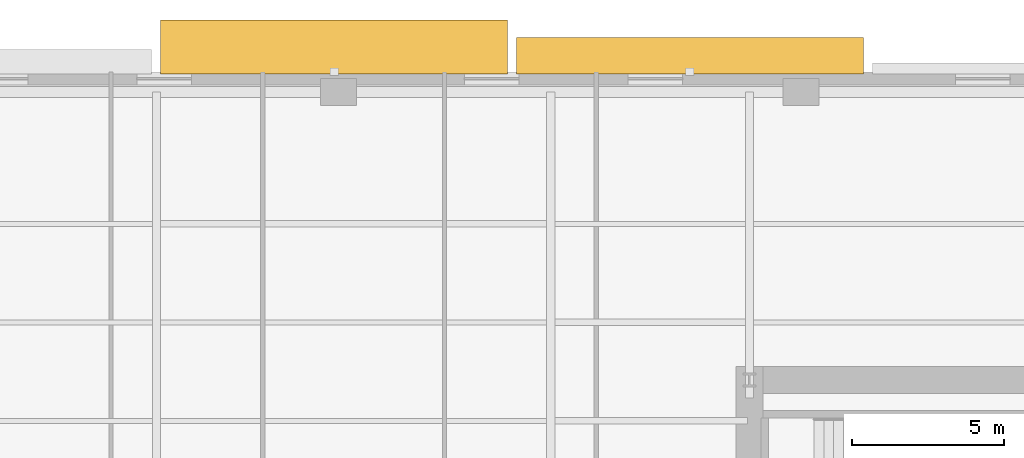
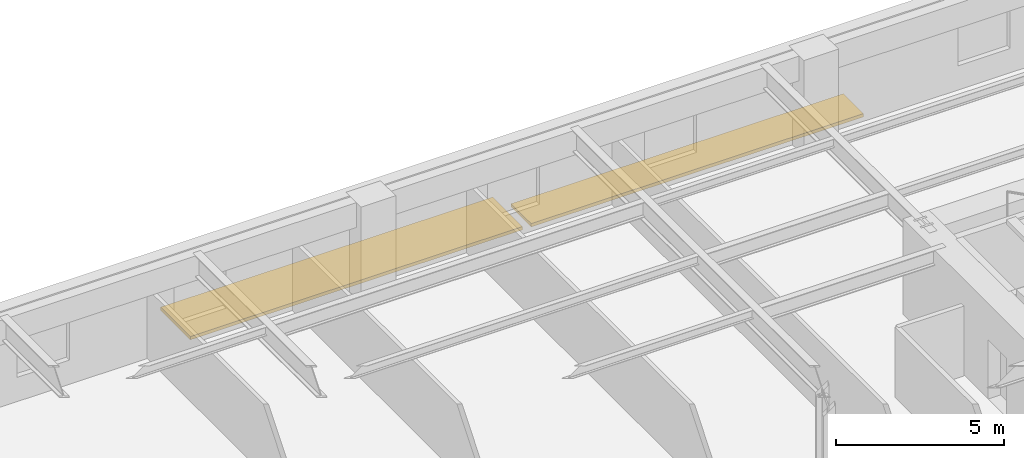
# One storey, part 14 of 14: 2 shading devices.
"""IFC4 building model written with IfcOpenShell, lengths in metres."""

from ifc_helpers import new_model, si_unit, direction, frame, origin, origin_2d, place, context, subcontext, project, spatial, rectangle, extrude, material, type_object, element, save


model = new_model("IFC4")

# Units and contexts
model_context = context("Model", 3, precision=1e-05, world=origin(), true_north=direction((0.0, 1.0)))
body_context = subcontext(model_context, "Body", "Model", "MODEL_VIEW")
ifc_project = project(units=[si_unit("LENGTHUNIT", "METRE"), si_unit("AREAUNIT", "SQUARE_METRE"), si_unit("VOLUMEUNIT", "CUBIC_METRE"), si_unit("PLANEANGLEUNIT", "RADIAN"), si_unit("MASSUNIT", "GRAM", prefix="KILO")], contexts=[model_context])

# Site, building, storey
site_placement = place(None, origin())
site = spatial("IfcSite", under=ifc_project, at=site_placement, CompositionType="ELEMENT")
building_placement = place(site_placement, origin())
building = spatial("IfcBuilding", under=site, at=building_placement, Name="Kolvaren Arena Tower", CompositionType="ELEMENT")
storey_placement = place(building_placement, frame((0.0, 0.0, 87.0)))
storey = spatial("IfcBuildingStorey", under=building, at=storey_placement, Name="L19", CompositionType="ELEMENT", Elevation=87.0)

# Shading devices
ifc_material = material(Name="Architectural precast GFRC and anodised aluminium sunshade", Category="concrete")
shading_device_type_1 = type_object("IfcShadingDeviceType", Name="SHAD-SINE-A", PredefinedType="USERDEFINED", material=ifc_material)
shading_device_1_placement = place(storey_placement, frame((48.590087890625, 50.0498046875, -0.14013671875), z_axis=(0.0, 0.0, 1.0), x_axis=(1.0, 0.0, 0.0)))
element("IfcShadingDevice", 1, at=shading_device_1_placement, inside=storey, type_object=shading_device_type_1, Name="Sinusoidal Slab-Edge Sunshade Louvre (L19)", ObjectType="LOUVRE", PredefinedType="USERDEFINED", context=body_context, shape_type="SweptSolid", body=[
    extrude(rectangle(XDim=11.43994140625, YDim=1.19970703125, at=origin_2d()), origin(), (0.0, 0.0, 1.0), 0.1201171875),
])
shading_device_type_2 = type_object("IfcShadingDeviceType", Name="SHAD-SINE-B", PredefinedType="JALOUSIE", material=ifc_material)
shading_device_2_placement = place(storey_placement, frame((36.85009765625, 50.33642578125, -0.14013671875), z_axis=(0.0, 0.0, 1.0), x_axis=(1.0, 0.0, 0.0)))
element("IfcShadingDevice", 2, at=shading_device_2_placement, inside=storey, type_object=shading_device_type_2, Name="Sinusoidal Slab-Edge Sunshade Louvre (L19)", PredefinedType="JALOUSIE", context=body_context, shape_type="SweptSolid", body=[
    extrude(rectangle(XDim=11.43994140625, YDim=1.772705078125, at=origin_2d()), origin(), (0.0, 0.0, 1.0), 0.1201171875),
])

save(model, "model.ifc")
